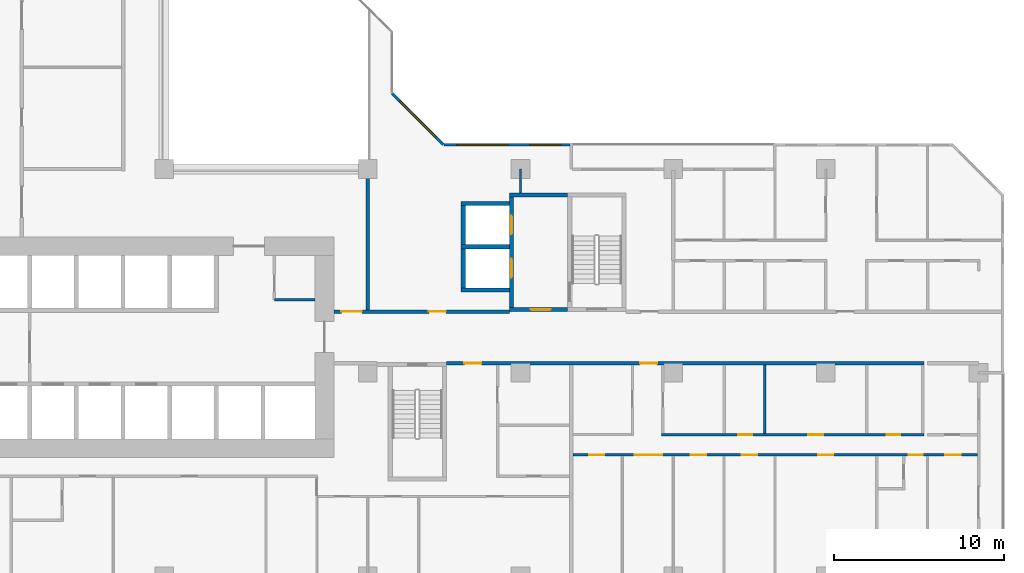
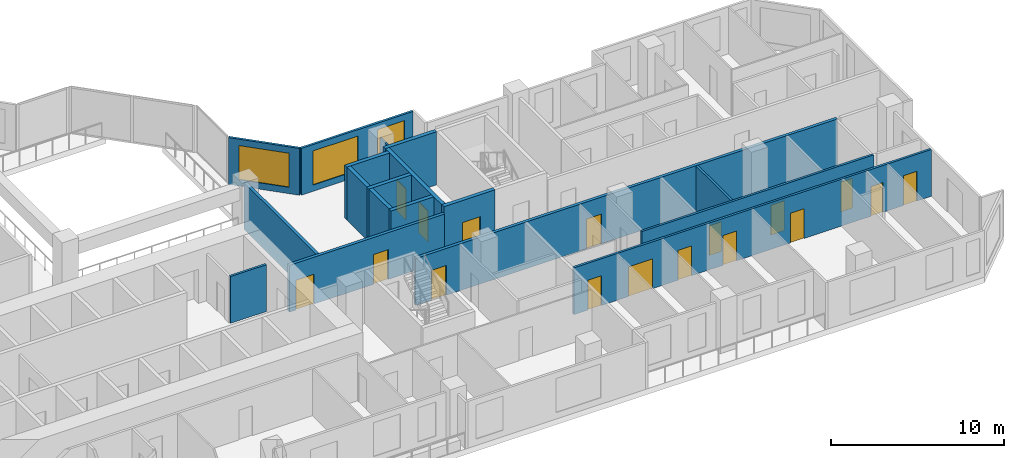
# One storey, part 7 of 16: 18 walls, 17 doors, 3 windows, 20 openings.
"""IFC4 building model written with IfcOpenShell, lengths in metres."""

import ifcopenshell
import ifcopenshell.guid

model = None  # the IFC model being written
_history = None  # IfcOwnerHistory: only IFC2X3 demands one
_inside = {}  # id of a spatial element -> (the spatial element, [elements in it])
_under = {}  # id of a project, library or spatial element -> (it, [spatial elements below it])
_declared = {}  # id of a project -> (the project, [libraries it declares])
_typed = {}  # id of a type object -> (the type object, [elements of that type])
_made_of = {}  # id of a material, layer set ... -> (it, [elements and type objects made of it])


def new_model(schema):
    """Start an empty IFC model of exactly this schema.

    Asked for "IFC4X3", IfcOpenShell would pick the latest addendum, in which some entities
    have other attributes; the version numbers below select the first issue.
    IFC2X3 requires an IfcOwnerHistory on every rooted entity: one is made here for all.
    """
    global model, _history
    if schema == "IFC4X3":
        model = ifcopenshell.file(schema_version=(4, 3, 0, 0))
    else:
        model = ifcopenshell.file(schema=schema)
    _inside.clear()
    _under.clear()
    _declared.clear()
    _typed.clear()
    _made_of.clear()
    _history = None
    if model.schema == "IFC2X3":
        org = make("IfcOrganization", Name="unknown")
        user = make(
            "IfcPersonAndOrganization",
            ThePerson=make("IfcPerson", FamilyName="unknown"),
            TheOrganization=org,
        )
        app = make(
            "IfcApplication",
            ApplicationDeveloper=org,
            Version="unknown",
            ApplicationFullName="unknown",
            ApplicationIdentifier="unknown",
        )
        _history = make(
            "IfcOwnerHistory",
            OwningUser=user,
            OwningApplication=app,
            ChangeAction="ADDED",
            CreationDate=0,
        )
    return model


def make(cls, **values):
    """One entity of the class cls with the attributes given. An attribute that is None is left unset."""
    return model.create_entity(
        cls, **{name: value for name, value in values.items() if value is not None}
    )


def rooted(cls, **values):
    """An entity with a GlobalId (a new one), such as an element, a storey or a relation."""
    return make(cls, GlobalId=ifcopenshell.guid.new(), OwnerHistory=_history, **values)


def si_unit(unit_type, name, prefix=None):
    """IfcSIUnit, for example si_unit("LENGTHUNIT", "METRE", prefix="MILLI")."""
    return make("IfcSIUnit", UnitType=unit_type, Prefix=prefix, Name=name)


def assignment(units):
    """IfcUnitAssignment: the units of a project."""
    return None if units is None else make("IfcUnitAssignment", Units=units)


def point(xyz):
    """IfcCartesianPoint."""
    return None if xyz is None else make("IfcCartesianPoint", Coordinates=xyz)


def direction(xyz):
    """IfcDirection."""
    return None if xyz is None else make("IfcDirection", DirectionRatios=xyz)


def frame(location, z_axis=None, x_axis=None):
    """IfcAxis2Placement3D, a coordinate frame: its origin and axes. An axis left out is left unset."""
    return make(
        "IfcAxis2Placement3D",
        Location=point(location),
        Axis=direction(z_axis),
        RefDirection=direction(x_axis),
    )


def frame_2d(location, x_axis=None):
    """IfcAxis2Placement2D, a coordinate frame in the plane: its origin and x axis."""
    return make(
        "IfcAxis2Placement2D", Location=point(location), RefDirection=direction(x_axis)
    )


def origin():
    """The frame at (0, 0, 0) with its axes left unset."""
    return frame((0.0, 0.0, 0.0))


def place(relative_to, where):
    """IfcLocalPlacement: puts the frame where relative to a parent placement (None: the world)."""
    return make(
        "IfcLocalPlacement", PlacementRelTo=relative_to, RelativePlacement=where
    )


def context(
    kind, dimensions, precision=None, world=None, true_north=None, identifier=None
):
    """IfcGeometricRepresentationContext, for example the 3D "Model" context."""
    return make(
        "IfcGeometricRepresentationContext",
        ContextIdentifier=identifier,
        ContextType=kind,
        CoordinateSpaceDimension=dimensions,
        Precision=precision,
        WorldCoordinateSystem=world,
        TrueNorth=true_north,
    )


def subcontext(parent, identifier, kind, view, scale=None):
    """IfcGeometricRepresentationSubContext, for example "Body" below "Model"."""
    return make(
        "IfcGeometricRepresentationSubContext",
        ContextIdentifier=identifier,
        ContextType=kind,
        ParentContext=parent,
        TargetScale=scale,
        TargetView=view,
    )


def project(units=None, contexts=None):
    """IfcProject with its units and contexts."""
    return rooted(
        "IfcProject",
        Name="project",
        RepresentationContexts=contexts,
        UnitsInContext=assignment(units),
    )


def spatial(cls, under=None, at=None, **own):
    """A site, building, storey or space (cls), placed at a placement, below another one or the project."""
    s = rooted(cls, ObjectPlacement=at, **own)
    if under is not None:
        _under.setdefault(under.id(), (under, []))[1].append(s)
    return s


def profile(cls, at=None, kind="AREA", **sizes):
    """A parametric profile (cls). Its sizes go by their IFC names, for example OverallWidth=200.0."""
    return make(cls, ProfileType=kind, Position=at, **sizes)


def rectangle(**sizes):
    """IfcRectangleProfileDef."""
    return profile("IfcRectangleProfileDef", **sizes)


def extrude(swept, where, along, depth):
    """IfcExtrudedAreaSolid: the profile swept, set in the frame where, extruded along a direction by depth."""
    return make(
        "IfcExtrudedAreaSolid",
        SweptArea=swept,
        Position=where,
        ExtrudedDirection=direction(along),
        Depth=depth,
    )


def shape(context_of_items, identifier, shape_type, items):
    """IfcShapeRepresentation: the items that make up one representation, for example the "Body"."""
    return make(
        "IfcShapeRepresentation",
        ContextOfItems=context_of_items,
        RepresentationIdentifier=identifier,
        RepresentationType=shape_type,
        Items=items,
    )


def material(Name=None, Category=None):
    """IfcMaterial."""
    return make("IfcMaterial", Name=Name, Category=Category)


def layer(
    of_material, thickness, ventilated=None, Name=None, Category=None, Priority=None
):
    """IfcMaterialLayer: one layer of a wall or slab, of a material (None: an air gap)."""
    return make(
        "IfcMaterialLayer",
        Material=of_material,
        LayerThickness=thickness,
        IsVentilated=ventilated,
        Name=Name,
        Category=Category,
        Priority=Priority,
    )


def layer_set(layers, Name=None):
    """IfcMaterialLayerSet."""
    return make("IfcMaterialLayerSet", MaterialLayers=layers, LayerSetName=Name)


def made_of(thing, what):
    """Note that an element or type object is made of a material, layer set ...; save() writes the relation."""
    if what is not None:
        _made_of.setdefault(what.id(), (what, []))[1].append(thing)
    return thing


def type_object(cls, material=None, **own):
    """A type object (cls), such as IfcWallType, which elements share."""
    return made_of(rooted(cls, **own), material)


def element(
    cls,
    number,
    at=None,
    inside=None,
    cuts=None,
    type_object=None,
    material=None,
    context=None,
    identifier="Body",
    shape_type=None,
    held_by="IfcProductDefinitionShape",
    body=None,
    shapes=None,
    **own,
):
    """One element of the class cls, such as IfcWall. Its Tag is "e" and its number.

    at: its placement. inside: the storey or other place that contains it. cuts: it is an
    opening in that element (IfcRelVoidsElement). A single representation is given by context,
    identifier, shape_type and body (its items); several are given by shapes. held_by: the class
    of the entity that holds the representations. save() writes the other relations.
    """
    e = rooted(cls, Tag="e%d" % number, ObjectPlacement=at, **own)
    if body is not None:
        shapes = [shape(context, identifier, shape_type, body)]
    if shapes is not None:
        e.Representation = make(held_by, Representations=shapes)
    if inside is not None:
        _inside.setdefault(inside.id(), (inside, []))[1].append(e)
    if cuts is not None:
        rooted(
            "IfcRelVoidsElement", RelatingBuildingElement=cuts, RelatedOpeningElement=e
        )
    if type_object is not None:
        _typed.setdefault(type_object.id(), (type_object, []))[1].append(e)
    return made_of(e, material)


def fill(opening, filler):
    """IfcRelFillsElement: the door or window that sits in an opening."""
    return rooted(
        "IfcRelFillsElement",
        RelatingOpeningElement=opening,
        RelatedBuildingElement=filler,
    )


def aggregate(whole, parts):
    """IfcRelAggregates: a whole, such as a stair, and the parts it consists of."""
    return rooted("IfcRelAggregates", RelatingObject=whole, RelatedObjects=parts)


def save(model, path):
    """Write the relations noted so far, then the file.

    IfcRelAggregates (storeys below a building ...), IfcRelContainedInSpatialStructure (elements
    in a storey), IfcRelDefinesByType, IfcRelAssociatesMaterial and IfcRelDeclares: one each for
    every whole, place, type object, material and project.
    """
    for whole, parts in _under.values():
        aggregate(whole, parts)
    for where, things in _inside.values():
        rooted(
            "IfcRelContainedInSpatialStructure",
            RelatedElements=things,
            RelatingStructure=where,
        )
    for kind, things in _typed.values():
        rooted("IfcRelDefinesByType", RelatedObjects=things, RelatingType=kind)
    for what, things in _made_of.values():
        rooted("IfcRelAssociatesMaterial", RelatedObjects=things, RelatingMaterial=what)
    for by, libraries in _declared.values():
        rooted("IfcRelDeclares", RelatingContext=by, RelatedDefinitions=libraries)
    model.write(path)


model = new_model("IFC4")

# Units and contexts
model_context = context("Model", 3, precision=1e-05, world=origin(), true_north=direction((0.0, 1.0)))
body_context = subcontext(model_context, "Body", "Model", "MODEL_VIEW")
ifc_project = project(units=[si_unit("LENGTHUNIT", "METRE"), si_unit("AREAUNIT", "SQUARE_METRE"), si_unit("VOLUMEUNIT", "CUBIC_METRE"), si_unit("PLANEANGLEUNIT", "RADIAN"), si_unit("MASSUNIT", "GRAM", prefix="KILO")], contexts=[model_context])

# Site, building, storey
site_placement = place(None, origin())
site = spatial("IfcSite", under=ifc_project, at=site_placement, CompositionType="ELEMENT")
building_placement = place(site_placement, origin())
building = spatial("IfcBuilding", under=site, at=building_placement, Name="Chenar Terraces", CompositionType="ELEMENT")
storey_placement = place(building_placement, frame((0.0, 0.0, 82.64990234375)))
storey = spatial("IfcBuildingStorey", under=building, at=storey_placement, Name="L18", CompositionType="ELEMENT", Elevation=82.64990234375)

# Wall
ifc_material_1 = material(Name="Gypsum board on steel studs", Category="steel")
ifc_layer_1 = layer(ifc_material_1, 0.14990234375)
ifc_layer_set_1 = layer_set([ifc_layer_1], Name="Gypsum board on steel studs")
wall_type_1 = type_object("IfcWallType", Name="Core partition 150 gypsum board", PredefinedType="PARTITIONING", material=ifc_layer_set_1)
wall_1_placement = place(storey_placement, frame((30.5, 16.300048828125, 0.0), z_axis=(0.0, 0.0, 1.0), x_axis=(1.0, 0.0, 0.0)))
element("IfcWall", 1, at=wall_1_placement, inside=storey, type_object=wall_type_1, Name="Core partition CP1 vestibule room south wall", PredefinedType="PARTITIONING", context=body_context, shape_type="SweptSolid", body=[
    extrude(rectangle(XDim=2.39990234375, YDim=0.14990234375, at=frame_2d((1.199951171875, 0.0))), origin(), (0.0, 0.0, 1.0), 3.300048828125),
])

# Wall, opening, door
ifc_material_2 = material(Name="Concrete C70/85", Category="concrete")
ifc_layer_2 = layer(ifc_material_2, 0.25)
ifc_layer_set_2 = layer_set([ifc_layer_2], Name="Concrete C70/85")
wall_type_2 = type_object("IfcWallType", Name="Core wall 250 Concrete C70/85", PredefinedType="SHEAR", material=ifc_layer_set_2)
wall_2_placement = place(storey_placement, frame((44.35009765625, 15.72509765625, 0.0), z_axis=(0.0, 0.0, 1.0), x_axis=(1.0, 0.0, 0.0)))
wall_2 = element("IfcWall", 2, at=wall_2_placement, inside=storey, type_object=wall_type_2, Name="Core wall F3_LS L18", PredefinedType="SHEAR", context=body_context, shape_type="SweptSolid", body=[
    extrude(rectangle(XDim=3.4248046875, YDim=0.25, at=frame_2d((1.71240234375, 0.0))), origin(), (0.0, 0.0, 1.0), 3.75),
])
opening_1_placement = place(wall_2_placement, frame((1.25, 0.0, 0.0)))
opening_1 = element("IfcOpeningElement", 3, at=opening_1_placement, cuts=wall_2, Name="Opening DL18-C10", PredefinedType="OPENING", context=body_context, shape_type="SweptSolid", body=[
    extrude(rectangle(XDim=1.199951171875, YDim=2.199951171875, at=frame_2d((0.60009765625, 1.10009765625))), frame((0.0, 0.135009765625, 0.0), z_axis=(0.0, -1.0, 0.0), x_axis=(1.0, 0.0, 0.0)), (0.0, 0.0, 1.0), 0.27001953125),
])
ifc_material_3 = material(Name="Steel-framed fire-resisting door leaf", Category="steel")
door_type_1 = type_object("IfcDoorType", Name="Lobby fire door FD60 1200 x 2200", OperationType="SINGLE_SWING_LEFT", PredefinedType="DOOR", material=ifc_material_3)
door_1_placement = place(opening_1_placement, origin())
door_1 = element("IfcDoor", 4, at=door_1_placement, inside=storey, type_object=door_type_1, Name="Core door DL18-C10", OperationType="SINGLE_SWING_RIGHT", OverallHeight=2.199951171875, OverallWidth=1.199951171875, PredefinedType="DOOR", context=body_context, shape_type="SweptSolid", body=[
    extrude(rectangle(XDim=1.199951171875, YDim=2.199951171875, at=frame_2d((0.60009765625, 1.10009765625))), frame((0.0, 0.02490234375, 0.0), z_axis=(0.0, -1.0, 0.0), x_axis=(1.0, 0.0, 0.0)), (0.0, 0.0, 1.0), 0.050048828125),
])
fill(opening_1, door_1)

# Wall
wall_3_placement = place(storey_placement, frame((44.35009765625, 22.47509765625, 0.0), z_axis=(0.0, 0.0, 1.0), x_axis=(1.0, 0.0, 0.0)))
element("IfcWall", 5, at=wall_3_placement, inside=storey, type_object=wall_type_2, Name="Core wall F3_LN L18", PredefinedType="SHEAR", context=body_context, shape_type="SweptSolid", body=[
    extrude(rectangle(XDim=3.4248046875, YDim=0.25, at=frame_2d((1.71240234375, 0.0))), origin(), (0.0, 0.0, 1.0), 3.75),
])

# Wall, openings, doors
wall_4_placement = place(storey_placement, frame((44.47509765625, 15.85009765625, 0.0), z_axis=(0.0, 0.0, 1.0), x_axis=(0.0, 1.0, 0.0)))
wall_4 = element("IfcWall", 6, at=wall_4_placement, inside=storey, type_object=wall_type_2, Name="Core wall F3_LW L18", PredefinedType="SHEAR", context=body_context, shape_type="SweptSolid", body=[
    extrude(rectangle(XDim=6.5, YDim=0.25, at=frame_2d((3.25, 0.0))), origin(), (0.0, 0.0, 1.0), 3.75),
])
opening_2_placement = place(wall_4_placement, frame((1.75, 0.0, 0.0)))
opening_2 = element("IfcOpeningElement", 7, at=opening_2_placement, cuts=wall_4, Name="Opening DL18-LD8", PredefinedType="OPENING", context=body_context, shape_type="SweptSolid", body=[
    extrude(rectangle(XDim=1.10009765625, YDim=2.199951171875, at=frame_2d((0.550048828125, 1.10009765625))), frame((0.0, 0.135009765625, 0.0), z_axis=(0.0, -1.0, 0.0), x_axis=(1.0, 0.0, 0.0)), (0.0, 0.0, 1.0), 0.27001953125),
])
opening_3_placement = place(wall_4_placement, frame((4.300048828125, 0.0, 0.0)))
opening_3 = element("IfcOpeningElement", 8, at=opening_3_placement, cuts=wall_4, Name="Opening DL18-LD9", PredefinedType="OPENING", context=body_context, shape_type="SweptSolid", body=[
    extrude(rectangle(XDim=1.10009765625, YDim=2.199951171875, at=frame_2d((0.550048828125, 1.10009765625))), frame((0.0, 0.135009765625, 0.0), z_axis=(0.0, -1.0, 0.0), x_axis=(1.0, 0.0, 0.0)), (0.0, 0.0, 1.0), 0.27001953125),
])
ifc_material_4 = material(Name="Stainless steel", Category="steel")
door_type_2 = type_object("IfcDoorType", Name="Lift landing door 1100 x 2200 sliding", OperationType="DOUBLE_DOOR_SLIDING", PredefinedType="DOOR", material=ifc_material_4)
door_2_placement = place(opening_2_placement, origin())
door_2 = element("IfcDoor", 9, at=door_2_placement, inside=storey, type_object=door_type_2, Name="Landing door F3", OperationType="DOUBLE_DOOR_SLIDING", OverallHeight=2.199951171875, OverallWidth=1.10009765625, PredefinedType="DOOR", context=body_context, shape_type="SweptSolid", body=[
    extrude(rectangle(XDim=1.10009765625, YDim=2.199951171875, at=frame_2d((0.550048828125, 1.10009765625))), frame((0.0, 0.02490234375, 0.0), z_axis=(0.0, -1.0, 0.0), x_axis=(1.0, 0.0, 0.0)), (0.0, 0.0, 1.0), 0.050048828125),
])
fill(opening_2, door_2)
door_3_placement = place(opening_3_placement, origin())
door_3 = element("IfcDoor", 10, at=door_3_placement, inside=storey, type_object=door_type_2, Name="Landing door F4", OperationType="DOUBLE_DOOR_SLIDING", OverallHeight=2.199951171875, OverallWidth=1.10009765625, PredefinedType="DOOR", context=body_context, shape_type="SweptSolid", body=[
    extrude(rectangle(XDim=1.10009765625, YDim=2.199951171875, at=frame_2d((0.550048828125, 1.10009765625))), frame((0.0, 0.02490234375, 0.0), z_axis=(0.0, -1.0, 0.0), x_axis=(1.0, 0.0, 0.0)), (0.0, 0.0, 1.0), 0.050048828125),
])
fill(opening_3, door_3)

# Walls
for number, where, z_axis, x_axis, name in (
    (11, (41.5, 16.875, 0.0), (0.0, 0.0, 1.0), (1.0, 0.0, 0.0), "Core wall F3_SS L18"),
    (12, (41.5, 19.425048828125, 0.0), (0.0, 0.0, 1.0), (1.0, 0.0, 0.0), "Core wall F3_SM L18"),
    (13, (41.5, 21.97509765625, 0.0), (0.0, 0.0, 1.0), (1.0, 0.0, 0.0), "Core wall F4_SN L18"),
):
    element("IfcWall", number, at=place(storey_placement, frame(where, z_axis=z_axis, x_axis=x_axis)), inside=storey, type_object=wall_type_2, Name=name, PredefinedType="SHEAR", context=body_context, shape_type="SweptSolid", body=[
        extrude(rectangle(XDim=2.85009765625, YDim=0.25, at=frame_2d((1.425048828125, 0.0))), origin(), (0.0, 0.0, 1.0), 3.75),
    ])
for number, where, z_axis, x_axis, name in (
    (14, (41.625, 17.0, 0.0), (0.0, 0.0, 1.0), (0.0, 1.0, 0.0), "Core wall F3_SW L18"),
    (15, (41.625, 19.550048828125, 0.0), (0.0, 0.0, 1.0), (0.0, 1.0, 0.0), "Core wall F4_SW L18"),
):
    element("IfcWall", number, at=place(storey_placement, frame(where, z_axis=z_axis, x_axis=x_axis)), inside=storey, type_object=wall_type_2, Name=name, PredefinedType="SHEAR", context=body_context, shape_type="SweptSolid", body=[
        extrude(rectangle(XDim=2.300048828125, YDim=0.25, at=frame_2d((1.14990234375, 0.0))), origin(), (0.0, 0.0, 1.0), 3.75),
    ])

# Wall, openings, doors
ifc_material_5 = material(Name="Gypsum board on steel studs with fire boards", Category="steel")
ifc_layer_3 = layer(ifc_material_5, 0.199951171875)
ifc_layer_set_3 = layer_set([ifc_layer_3], Name="Gypsum board on steel studs with fire boards")
wall_type_3 = type_object("IfcWallType", Name="Corridor wall 200", PredefinedType="PARTITIONING", material=ifc_layer_set_3)
wall_5_placement = place(storey_placement, frame((34.0, 15.60009765625, 0.0), z_axis=(0.0, 0.0, 1.0), x_axis=(1.0, 0.0, 0.0)))
wall_5 = element("IfcWall", 16, at=wall_5_placement, inside=storey, type_object=wall_type_3, Name="Partition L18-063", PredefinedType="PARTITIONING", context=body_context, shape_type="SweptSolid", body=[
    extrude(rectangle(XDim=10.35009765625, YDim=0.199951171875, at=frame_2d((5.175048828125, 0.0))), origin(), (0.0, 0.0, 1.0), 3.300048828125),
])
opening_4_placement = place(wall_5_placement, frame((5.60009765625, 0.0, 0.0)))
opening_4 = element("IfcOpeningElement", 17, at=opening_4_placement, cuts=wall_5, Name="Opening DL18-3", PredefinedType="OPENING", context=body_context, shape_type="SweptSolid", body=[
    extrude(rectangle(XDim=1.0, YDim=2.10009765625, at=frame_2d((0.5, 1.050048828125))), frame((0.0, 0.10986328125, 0.0), z_axis=(0.0, -1.0, 0.0), x_axis=(1.0, 0.0, 0.0)), (0.0, 0.0, 1.0), 0.219970703125),
])
opening_5_placement = place(wall_5_placement, frame((0.449951171875, 0.0, 0.0)))
opening_5 = element("IfcOpeningElement", 18, at=opening_5_placement, cuts=wall_5, Name="Opening DL18-52", PredefinedType="OPENING", context=body_context, shape_type="SweptSolid", body=[
    extrude(rectangle(XDim=1.199951171875, YDim=2.10009765625, at=frame_2d((0.60009765625, 1.050048828125))), frame((0.0, 0.10986328125, 0.0), z_axis=(0.0, -1.0, 0.0), x_axis=(1.0, 0.0, 0.0)), (0.0, 0.0, 1.0), 0.219970703125),
])
ifc_material_6 = material(Name="Steel-framed fire-resisting door leaf", Category="steel")
door_type_3 = type_object("IfcDoorType", Name="Fire door FD60 1000 x 2100", OperationType="SINGLE_SWING_LEFT", PredefinedType="DOOR", material=ifc_material_6)
door_4_placement = place(opening_4_placement, origin())
door_4 = element("IfcDoor", 19, at=door_4_placement, inside=storey, type_object=door_type_3, Name="Door DL18-3", OperationType="SINGLE_SWING_RIGHT", OverallHeight=2.10009765625, OverallWidth=1.0, PredefinedType="DOOR", context=body_context, shape_type="SweptSolid", body=[
    extrude(rectangle(XDim=1.0, YDim=2.10009765625, at=frame_2d((0.5, 1.050048828125))), frame((0.0, 0.02490234375, 0.0), z_axis=(0.0, -1.0, 0.0), x_axis=(1.0, 0.0, 0.0)), (0.0, 0.0, 1.0), 0.050048828125),
])
fill(opening_4, door_4)
ifc_material_7 = material(Name="Steel-framed fire-resisting door leaf", Category="steel")
door_type_4 = type_object("IfcDoorType", Name="Fire door FD60 1200 x 2100", OperationType="SINGLE_SWING_LEFT", PredefinedType="DOOR", material=ifc_material_7)
door_5_placement = place(opening_5_placement, origin())
door_5 = element("IfcDoor", 20, at=door_5_placement, inside=storey, type_object=door_type_4, Name="Door DL18-52", OperationType="SINGLE_SWING_RIGHT", OverallHeight=2.10009765625, OverallWidth=1.199951171875, PredefinedType="DOOR", context=body_context, shape_type="SweptSolid", body=[
    extrude(rectangle(XDim=1.199951171875, YDim=2.10009765625, at=frame_2d((0.60009765625, 1.050048828125))), frame((0.0, 0.02490234375, 0.0), z_axis=(0.0, -1.0, 0.0), x_axis=(1.0, 0.0, 0.0)), (0.0, 0.0, 1.0), 0.050048828125),
])
fill(opening_5, door_5)

# Wall
wall_6_placement = place(storey_placement, frame((36.0, 15.699951171875, 0.0), z_axis=(0.0, 0.0, 1.0), x_axis=(0.0, 1.0, 0.0)))
element("IfcWall", 21, at=wall_6_placement, inside=storey, type_object=wall_type_3, Name="Partition L18-065", PredefinedType="PARTITIONING", context=body_context, shape_type="SweptSolid", body=[
    extrude(rectangle(XDim=8.300048828125, YDim=0.199951171875, at=frame_2d((4.14990234375, 0.0))), origin(), (0.0, 0.0, 1.0), 3.300048828125),
])

# Wall, openings, doors
wall_7_placement = place(storey_placement, frame((40.64990234375, 12.550048828125, 0.0), z_axis=(0.0, 0.0, 1.0), x_axis=(1.0, 0.0, 0.0)))
wall_7 = element("IfcWall", 22, at=wall_7_placement, inside=storey, type_object=wall_type_3, Name="Partition L18-067", PredefinedType="PARTITIONING", context=body_context, shape_type="SweptSolid", body=[
    extrude(rectangle(XDim=28.125, YDim=0.199951171875, at=frame_2d((14.0625, 0.0))), origin(), (0.0, 0.0, 1.0), 3.300048828125),
])
opening_6_placement = place(wall_7_placement, frame((11.39990234375, 0.0, 0.0)))
opening_6 = element("IfcOpeningElement", 23, at=opening_6_placement, cuts=wall_7, Name="Opening DL18-20", PredefinedType="OPENING", context=body_context, shape_type="SweptSolid", body=[
    extrude(rectangle(XDim=1.0, YDim=2.10009765625, at=frame_2d((0.5, 1.050048828125))), frame((0.0, 0.10986328125, 0.0), z_axis=(0.0, -1.0, 0.0), x_axis=(1.0, 0.0, 0.0)), (0.0, 0.0, 1.0), 0.219970703125),
])
opening_7_placement = place(wall_7_placement, frame((1.050048828125, 0.0, 0.0)))
opening_7 = element("IfcOpeningElement", 24, at=opening_7_placement, cuts=wall_7, Name="Opening DL18-66", PredefinedType="OPENING", context=body_context, shape_type="SweptSolid", body=[
    extrude(rectangle(XDim=1.0, YDim=2.10009765625, at=frame_2d((0.5, 1.050048828125))), frame((0.0, 0.10986328125, 0.0), z_axis=(0.0, -1.0, 0.0), x_axis=(1.0, 0.0, 0.0)), (0.0, 0.0, 1.0), 0.219970703125),
])
ifc_material_8 = material(Name="Steel-framed fire-resisting door leaf", Category="steel")
door_type_5 = type_object("IfcDoorType", Name="Fire door FD30S 1000 x 2100", OperationType="SINGLE_SWING_LEFT", PredefinedType="DOOR", material=ifc_material_8)
door_6_placement = place(opening_6_placement, frame((1.0, 0.0, 0.0), z_axis=(0.0, 0.0, 1.0), x_axis=(-1.0, 0.0, 0.0)))
door_6 = element("IfcDoor", 25, at=door_6_placement, inside=storey, type_object=door_type_5, Name="Door DL18-20", OperationType="SINGLE_SWING_LEFT", OverallHeight=2.10009765625, OverallWidth=1.0, PredefinedType="DOOR", context=body_context, shape_type="SweptSolid", body=[
    extrude(rectangle(XDim=1.0, YDim=2.10009765625, at=frame_2d((0.5, 1.050048828125))), frame((0.0, 0.02490234375, 0.0), z_axis=(0.0, -1.0, 0.0), x_axis=(1.0, 0.0, 0.0)), (0.0, 0.0, 1.0), 0.050048828125),
])
fill(opening_6, door_6)
door_7_placement = place(opening_7_placement, origin())
door_7 = element("IfcDoor", 26, at=door_7_placement, inside=storey, type_object=door_type_5, Name="Door DL18-66", OperationType="SINGLE_SWING_RIGHT", OverallHeight=2.10009765625, OverallWidth=1.0, PredefinedType="DOOR", context=body_context, shape_type="SweptSolid", body=[
    extrude(rectangle(XDim=1.0, YDim=2.10009765625, at=frame_2d((0.5, 1.050048828125))), frame((0.0, 0.02490234375, 0.0), z_axis=(0.0, -1.0, 0.0), x_axis=(1.0, 0.0, 0.0)), (0.0, 0.0, 1.0), 0.050048828125),
])
fill(opening_7, door_7)

# Wall, openings, windows
ifc_material_9 = material(Name="Aluminium framed glazing", Category="aluminium")
ifc_layer_4 = layer(ifc_material_9, 0.14990234375)
ifc_layer_set_4 = layer_set([ifc_layer_4], Name="Aluminium framed glazing")
wall_type_4 = type_object("IfcWallType", Name="Glazed flush facade wall 150", PredefinedType="SOLIDWALL", material=ifc_layer_set_4)
wall_8_placement = place(storey_placement, frame((47.925048828125, 25.425048828125, 0.0), z_axis=(0.0, 0.0, 1.0), x_axis=(-1.0, 0.0, 0.0)))
wall_8 = element("IfcWall", 27, at=wall_8_placement, inside=storey, type_object=wall_type_4, Name="Glazed flush facade wall", PredefinedType="SOLIDWALL", context=body_context, shape_type="SweptSolid", body=[
    extrude(rectangle(XDim=7.425048828125, YDim=0.14990234375, at=frame_2d((3.71240234375, 0.0))), origin(), (0.0, 0.0, 1.0), 3.300048828125),
])
opening_8_placement = place(wall_8_placement, frame((0.5625, 0.0, 0.449951171875)))
opening_8 = element("IfcOpeningElement", 28, at=opening_8_placement, cuts=wall_8, Name="Opening W180x240", PredefinedType="OPENING", context=body_context, shape_type="SweptSolid", body=[
    extrude(rectangle(XDim=1.800048828125, YDim=2.39990234375, at=frame_2d((0.89990234375, 1.199951171875))), frame((0.0, 0.0849609375, 0.0), z_axis=(0.0, -1.0, 0.0), x_axis=(1.0, 0.0, 0.0)), (0.0, 0.0, 1.0), 0.169921875),
])
opening_9_placement = place(wall_8_placement, frame((3.675048828125, 0.0, 0.449951171875)))
opening_9 = element("IfcOpeningElement", 29, at=opening_9_placement, cuts=wall_8, Name="Opening W300x240", PredefinedType="OPENING", context=body_context, shape_type="SweptSolid", body=[
    extrude(rectangle(XDim=3.0, YDim=2.39990234375, at=frame_2d((1.5, 1.199951171875))), frame((0.0, 0.0849609375, 0.0), z_axis=(0.0, -1.0, 0.0), x_axis=(1.0, 0.0, 0.0)), (0.0, 0.0, 1.0), 0.169921875),
])
ifc_material_10 = material(Name="Low emissivity double glazing, aluminium frame", Category="aluminium")
window_type_1 = type_object("IfcWindowType", Name="Fixed light 1800 x 2400", PartitioningType="SINGLE_PANEL", PredefinedType="WINDOW", material=ifc_material_10)
window_1_placement = place(opening_8_placement, origin())
window_1 = element("IfcWindow", 30, at=window_1_placement, inside=storey, type_object=window_type_1, Name="Window", OverallHeight=2.39990234375, OverallWidth=1.800048828125, PartitioningType="SINGLE_PANEL", PredefinedType="WINDOW", context=body_context, shape_type="SweptSolid", body=[
    extrude(rectangle(XDim=1.800048828125, YDim=2.39990234375, at=frame_2d((0.89990234375, 1.199951171875))), frame((0.0, 0.030029296875, 0.0), z_axis=(0.0, -1.0, 0.0), x_axis=(1.0, 0.0, 0.0)), (0.0, 0.0, 1.0), 0.06005859375),
])
fill(opening_8, window_1)
ifc_material_11 = material(Name="Low emissivity double glazing, aluminium frame", Category="aluminium")
window_type_2 = type_object("IfcWindowType", Name="Fixed light 3000 x 2400", PartitioningType="SINGLE_PANEL", PredefinedType="WINDOW", material=ifc_material_11)
window_2_placement = place(opening_9_placement, origin())
window_2 = element("IfcWindow", 31, at=window_2_placement, inside=storey, type_object=window_type_2, Name="Window", OverallHeight=2.39990234375, OverallWidth=3.0, PartitioningType="SINGLE_PANEL", PredefinedType="WINDOW", context=body_context, shape_type="SweptSolid", body=[
    extrude(rectangle(XDim=3.0, YDim=2.39990234375, at=frame_2d((1.5, 1.199951171875))), frame((0.0, 0.030029296875, 0.0), z_axis=(0.0, -1.0, 0.0), x_axis=(1.0, 0.0, 0.0)), (0.0, 0.0, 1.0), 0.06005859375),
])
fill(opening_9, window_2)

# Wall
ifc_material_12 = material(Name="Gypsum board on steel studs", Category="steel")
ifc_layer_5 = layer(ifc_material_12, 0.10009765625)
ifc_layer_set_5 = layer_set([ifc_layer_5], Name="Gypsum board on steel studs")
wall_type_5 = type_object("IfcWallType", Name="Gypsum partition 100", PredefinedType="PARTITIONING", material=ifc_layer_set_5)
wall_9_placement = place(storey_placement, frame((45.0, 22.60009765625, 0.0), z_axis=(0.0, 0.0, 1.0), x_axis=(0.0, 1.0, 0.0)))
element("IfcWall", 32, at=wall_9_placement, inside=storey, type_object=wall_type_5, Name="Partition L18-071", PredefinedType="PARTITIONING", context=body_context, shape_type="SweptSolid", body=[
    extrude(rectangle(XDim=1.39990234375, YDim=0.10009765625, at=frame_2d((0.699951171875, 0.0))), origin(), (0.0, 0.0, 1.0), 3.300048828125),
])

# Wall, opening, window
ifc_material_13 = material(Name="Terracotta cladding on insulated backing", Category="masonry")
ifc_layer_6 = layer(ifc_material_13, 0.14990234375)
ifc_layer_set_6 = layer_set([ifc_layer_6], Name="Terracotta cladding on insulated backing")
wall_type_6 = type_object("IfcWallType", Name="Terracotta rainscreen wall 150", PredefinedType="SOLIDWALL", material=ifc_layer_set_6)
wall_10_placement = place(storey_placement, frame((40.447021484375, 25.447021484375, 0.0), z_axis=(0.0, 0.0, 1.0), x_axis=(-0.707106781187, 0.707106781187, 0.0)))
wall_10 = element("IfcWall", 33, at=wall_10_placement, inside=storey, type_object=wall_type_6, Name="Terracotta rainscreen wall", PredefinedType="SOLIDWALL", context=body_context, shape_type="SweptSolid", body=[
    extrude(rectangle(XDim=4.24267578125, YDim=0.14990234375, at=frame_2d((2.121337890625, 0.0))), origin(), (0.0, 0.0, 1.0), 3.300048828125),
])
opening_10_placement = place(wall_10_placement, frame((0.621337890625, 0.0, 0.449951171875)))
opening_10 = element("IfcOpeningElement", 34, at=opening_10_placement, cuts=wall_10, Name="Opening W300x240", PredefinedType="OPENING", context=body_context, shape_type="SweptSolid", body=[
    extrude(rectangle(XDim=3.0, YDim=2.39990234375, at=frame_2d((1.5, 1.199951171875))), frame((0.0, 0.0849609375, 0.0), z_axis=(0.0, -1.0, 0.0), x_axis=(1.0, 0.0, 0.0)), (0.0, 0.0, 1.0), 0.169921875),
])
window_3_placement = place(opening_10_placement, origin())
window_3 = element("IfcWindow", 35, at=window_3_placement, inside=storey, type_object=window_type_2, Name="Window", OverallHeight=2.39990234375, OverallWidth=3.0, PartitioningType="SINGLE_PANEL", PredefinedType="WINDOW", context=body_context, shape_type="SweptSolid", body=[
    extrude(rectangle(XDim=3.0, YDim=2.39990234375, at=frame_2d((1.5, 1.199951171875))), frame((0.0, 0.030029296875, 0.0), z_axis=(0.0, -1.0, 0.0), x_axis=(1.0, 0.0, 0.0)), (0.0, 0.0, 1.0), 0.06005859375),
])
fill(opening_10, window_3)

# Wall, openings, doors
ifc_material_14 = material(Name="Moisture-resistant gypsum board on steel studs", Category="steel")
ifc_layer_7 = layer(ifc_material_14, 0.14990234375)
ifc_layer_set_7 = layer_set([ifc_layer_7], Name="Moisture-resistant gypsum board on steel studs")
wall_type_7 = type_object("IfcWallType", Name="Wet-room partition 150", PredefinedType="PARTITIONING", material=ifc_layer_set_7)
wall_11_placement = place(storey_placement, frame((48.10009765625, 7.14990234375, 0.0), z_axis=(0.0, 0.0, 1.0), x_axis=(1.0, 0.0, 0.0)))
wall_11 = element("IfcWall", 36, at=wall_11_placement, inside=storey, type_object=wall_type_7, Name="Partition L18-073", PredefinedType="PARTITIONING", context=body_context, shape_type="SweptSolid", body=[
    extrude(rectangle(XDim=23.825927734375, YDim=0.14990234375, at=frame_2d((11.9130859375, 0.0))), origin(), (0.0, 0.0, 1.0), 3.300048828125),
])
opening_11_placement = place(wall_11_placement, frame((0.949951171875, 0.0, 0.0)))
opening_11 = element("IfcOpeningElement", 37, at=opening_11_placement, cuts=wall_11, Name="Opening DL18-16", PredefinedType="OPENING", context=body_context, shape_type="SweptSolid", body=[
    extrude(rectangle(XDim=0.89990234375, YDim=2.10009765625, at=frame_2d((0.449951171875, 1.050048828125))), frame((0.0, 0.0849609375, 0.0), z_axis=(0.0, -1.0, 0.0), x_axis=(1.0, 0.0, 0.0)), (0.0, 0.0, 1.0), 0.169921875),
])
opening_12_placement = place(wall_11_placement, frame((6.949951171875, 0.0, 0.0)))
opening_12 = element("IfcOpeningElement", 38, at=opening_12_placement, cuts=wall_11, Name="Opening DL18-17", PredefinedType="OPENING", context=body_context, shape_type="SweptSolid", body=[
    extrude(rectangle(XDim=0.89990234375, YDim=2.10009765625, at=frame_2d((0.449951171875, 1.050048828125))), frame((0.0, 0.0849609375, 0.0), z_axis=(0.0, -1.0, 0.0), x_axis=(1.0, 0.0, 0.0)), (0.0, 0.0, 1.0), 0.169921875),
])
opening_13_placement = place(wall_11_placement, frame((21.949951171875, 0.0, 0.0)))
opening_13 = element("IfcOpeningElement", 39, at=opening_13_placement, cuts=wall_11, Name="Opening DL18-18", PredefinedType="OPENING", context=body_context, shape_type="SweptSolid", body=[
    extrude(rectangle(XDim=0.89990234375, YDim=2.10009765625, at=frame_2d((0.449951171875, 1.050048828125))), frame((0.0, 0.0849609375, 0.0), z_axis=(0.0, -1.0, 0.0), x_axis=(1.0, 0.0, 0.0)), (0.0, 0.0, 1.0), 0.169921875),
])
opening_14_placement = place(wall_11_placement, frame((14.449951171875, 0.0, 0.0)))
opening_14 = element("IfcOpeningElement", 40, at=opening_14_placement, cuts=wall_11, Name="Opening DL18-24", PredefinedType="OPENING", context=body_context, shape_type="SweptSolid", body=[
    extrude(rectangle(XDim=0.89990234375, YDim=2.10009765625, at=frame_2d((0.449951171875, 1.050048828125))), frame((0.0, 0.0849609375, 0.0), z_axis=(0.0, -1.0, 0.0), x_axis=(1.0, 0.0, 0.0)), (0.0, 0.0, 1.0), 0.169921875),
])
opening_15_placement = place(wall_11_placement, frame((19.800048828125, 0.0, 0.0)))
opening_15 = element("IfcOpeningElement", 41, at=opening_15_placement, cuts=wall_11, Name="Opening DL18-25", PredefinedType="OPENING", context=body_context, shape_type="SweptSolid", body=[
    extrude(rectangle(XDim=0.800048828125, YDim=2.10009765625, at=frame_2d((0.39990234375, 1.050048828125))), frame((0.0, 0.0849609375, 0.0), z_axis=(0.0, -1.0, 0.0), x_axis=(1.0, 0.0, 0.0)), (0.0, 0.0, 1.0), 0.169921875),
])
opening_16_placement = place(wall_11_placement, frame((3.64990234375, 0.0, 0.0)))
opening_16 = element("IfcOpeningElement", 42, at=opening_16_placement, cuts=wall_11, Name="Opening DL18-27", PredefinedType="OPENING", context=body_context, shape_type="SweptSolid", body=[
    extrude(rectangle(XDim=1.60009765625, YDim=2.10009765625, at=frame_2d((0.800048828125, 1.050048828125))), frame((0.0, 0.0849609375, 0.0), z_axis=(0.0, -1.0, 0.0), x_axis=(1.0, 0.0, 0.0)), (0.0, 0.0, 1.0), 0.169921875),
])
opening_17_placement = place(wall_11_placement, frame((9.949951171875, 0.0, 0.0)))
opening_17 = element("IfcOpeningElement", 43, at=opening_17_placement, cuts=wall_11, Name="Opening DL18-28", PredefinedType="OPENING", context=body_context, shape_type="SweptSolid", body=[
    extrude(rectangle(XDim=0.89990234375, YDim=2.10009765625, at=frame_2d((0.449951171875, 1.050048828125))), frame((0.0, 0.0849609375, 0.0), z_axis=(0.0, -1.0, 0.0), x_axis=(1.0, 0.0, 0.0)), (0.0, 0.0, 1.0), 0.169921875),
])
ifc_material_15 = material(Name="Veneered timber door leaf", Category="wood")
door_type_6 = type_object("IfcDoorType", Name="Door 800 x 2100", OperationType="SINGLE_SWING_LEFT", PredefinedType="DOOR", material=ifc_material_15)
door_8_placement = place(opening_15_placement, frame((0.800048828125, 0.0, 0.0), z_axis=(0.0, 0.0, 1.0), x_axis=(-1.0, 0.0, 0.0)))
door_8 = element("IfcDoor", 44, at=door_8_placement, inside=storey, type_object=door_type_6, Name="Door DL18-25", OperationType="SINGLE_SWING_LEFT", OverallHeight=2.10009765625, OverallWidth=0.800048828125, PredefinedType="DOOR", context=body_context, shape_type="SweptSolid", body=[
    extrude(rectangle(XDim=0.800048828125, YDim=2.10009765625, at=frame_2d((0.39990234375, 1.050048828125))), frame((0.0, 0.02490234375, 0.0), z_axis=(0.0, -1.0, 0.0), x_axis=(1.0, 0.0, 0.0)), (0.0, 0.0, 1.0), 0.050048828125),
])
fill(opening_15, door_8)
ifc_material_16 = material(Name="Veneered timber door leaf", Category="wood")
door_type_7 = type_object("IfcDoorType", Name="Door 900 x 2100", OperationType="SINGLE_SWING_LEFT", PredefinedType="DOOR", material=ifc_material_16)
door_9_placement = place(opening_11_placement, frame((0.89990234375, 0.0, 0.0), z_axis=(0.0, 0.0, 1.0), x_axis=(-1.0, 0.0, 0.0)))
door_9 = element("IfcDoor", 45, at=door_9_placement, inside=storey, type_object=door_type_7, Name="Door DL18-16", OperationType="SINGLE_SWING_LEFT", OverallHeight=2.10009765625, OverallWidth=0.89990234375, PredefinedType="DOOR", context=body_context, shape_type="SweptSolid", body=[
    extrude(rectangle(XDim=0.89990234375, YDim=2.10009765625, at=frame_2d((0.449951171875, 1.050048828125))), frame((0.0, 0.02490234375, 0.0), z_axis=(0.0, -1.0, 0.0), x_axis=(1.0, 0.0, 0.0)), (0.0, 0.0, 1.0), 0.050048828125),
])
fill(opening_11, door_9)
door_10_placement = place(opening_12_placement, frame((0.89990234375, 0.0, 0.0), z_axis=(0.0, 0.0, 1.0), x_axis=(-1.0, 0.0, 0.0)))
door_10 = element("IfcDoor", 46, at=door_10_placement, inside=storey, type_object=door_type_7, Name="Door DL18-17", OperationType="SINGLE_SWING_LEFT", OverallHeight=2.10009765625, OverallWidth=0.89990234375, PredefinedType="DOOR", context=body_context, shape_type="SweptSolid", body=[
    extrude(rectangle(XDim=0.89990234375, YDim=2.10009765625, at=frame_2d((0.449951171875, 1.050048828125))), frame((0.0, 0.02490234375, 0.0), z_axis=(0.0, -1.0, 0.0), x_axis=(1.0, 0.0, 0.0)), (0.0, 0.0, 1.0), 0.050048828125),
])
fill(opening_12, door_10)
door_11_placement = place(opening_13_placement, frame((0.89990234375, 0.0, 0.0), z_axis=(0.0, 0.0, 1.0), x_axis=(-1.0, 0.0, 0.0)))
door_11 = element("IfcDoor", 47, at=door_11_placement, inside=storey, type_object=door_type_7, Name="Door DL18-18", OperationType="SINGLE_SWING_LEFT", OverallHeight=2.10009765625, OverallWidth=0.89990234375, PredefinedType="DOOR", context=body_context, shape_type="SweptSolid", body=[
    extrude(rectangle(XDim=0.89990234375, YDim=2.10009765625, at=frame_2d((0.449951171875, 1.050048828125))), frame((0.0, 0.02490234375, 0.0), z_axis=(0.0, -1.0, 0.0), x_axis=(1.0, 0.0, 0.0)), (0.0, 0.0, 1.0), 0.050048828125),
])
fill(opening_13, door_11)
door_12_placement = place(opening_14_placement, origin())
door_12 = element("IfcDoor", 48, at=door_12_placement, inside=storey, type_object=door_type_7, Name="Door DL18-24", OperationType="SINGLE_SWING_RIGHT", OverallHeight=2.10009765625, OverallWidth=0.89990234375, PredefinedType="DOOR", context=body_context, shape_type="SweptSolid", body=[
    extrude(rectangle(XDim=0.89990234375, YDim=2.10009765625, at=frame_2d((0.449951171875, 1.050048828125))), frame((0.0, 0.02490234375, 0.0), z_axis=(0.0, -1.0, 0.0), x_axis=(1.0, 0.0, 0.0)), (0.0, 0.0, 1.0), 0.050048828125),
])
fill(opening_14, door_12)
door_13_placement = place(opening_17_placement, frame((0.89990234375, 0.0, 0.0), z_axis=(0.0, 0.0, 1.0), x_axis=(-1.0, 0.0, 0.0)))
door_13 = element("IfcDoor", 49, at=door_13_placement, inside=storey, type_object=door_type_7, Name="Door DL18-28", OperationType="SINGLE_SWING_LEFT", OverallHeight=2.10009765625, OverallWidth=0.89990234375, PredefinedType="DOOR", context=body_context, shape_type="SweptSolid", body=[
    extrude(rectangle(XDim=0.89990234375, YDim=2.10009765625, at=frame_2d((0.449951171875, 1.050048828125))), frame((0.0, 0.02490234375, 0.0), z_axis=(0.0, -1.0, 0.0), x_axis=(1.0, 0.0, 0.0)), (0.0, 0.0, 1.0), 0.050048828125),
])
fill(opening_17, door_13)
ifc_material_17 = material(Name="Veneered timber door leaf", Category="wood")
door_type_8 = type_object("IfcDoorType", Name="Double door 1600 x 2100", OperationType="DOUBLE_DOOR_SINGLE_SWING", PredefinedType="DOOR", material=ifc_material_17)
door_14_placement = place(opening_16_placement, frame((1.60009765625, 0.0, 0.0), z_axis=(0.0, 0.0, 1.0), x_axis=(-1.0, 0.0, 0.0)))
door_14 = element("IfcDoor", 50, at=door_14_placement, inside=storey, type_object=door_type_8, Name="Door DL18-27", OperationType="DOUBLE_DOOR_SINGLE_SWING", OverallHeight=2.10009765625, OverallWidth=1.60009765625, PredefinedType="DOOR", context=body_context, shape_type="SweptSolid", body=[
    extrude(rectangle(XDim=1.60009765625, YDim=2.10009765625, at=frame_2d((0.800048828125, 1.050048828125))), frame((0.0, 0.02490234375, 0.0), z_axis=(0.0, -1.0, 0.0), x_axis=(1.0, 0.0, 0.0)), (0.0, 0.0, 1.0), 0.050048828125),
])
fill(opening_16, door_14)

wall_12_placement = place(storey_placement, frame((53.324951171875, 8.35009765625, 0.0), z_axis=(0.0, 0.0, 1.0), x_axis=(1.0, 0.0, 0.0)))
wall_12 = element("IfcWall", 51, at=wall_12_placement, inside=storey, type_object=wall_type_7, Name="Partition L18-078", PredefinedType="PARTITIONING", context=body_context, shape_type="SweptSolid", body=[
    extrude(rectangle(XDim=15.449951171875, YDim=0.14990234375, at=frame_2d((7.72509765625, 0.0))), origin(), (0.0, 0.0, 1.0), 3.300048828125),
])
opening_18_placement = place(wall_12_placement, frame((13.27490234375, 0.0, 0.0)))
opening_18 = element("IfcOpeningElement", 52, at=opening_18_placement, cuts=wall_12, Name="Opening DL18-15", PredefinedType="OPENING", context=body_context, shape_type="SweptSolid", body=[
    extrude(rectangle(XDim=0.800048828125, YDim=2.10009765625, at=frame_2d((0.39990234375, 1.050048828125))), frame((0.0, 0.0849609375, 0.0), z_axis=(0.0, -1.0, 0.0), x_axis=(1.0, 0.0, 0.0)), (0.0, 0.0, 1.0), 0.169921875),
])
opening_19_placement = place(wall_12_placement, frame((8.625, 0.0, 0.0)))
opening_19 = element("IfcOpeningElement", 53, at=opening_19_placement, cuts=wall_12, Name="Opening DL18-21", PredefinedType="OPENING", context=body_context, shape_type="SweptSolid", body=[
    extrude(rectangle(XDim=0.89990234375, YDim=2.10009765625, at=frame_2d((0.449951171875, 1.050048828125))), frame((0.0, 0.0849609375, 0.0), z_axis=(0.0, -1.0, 0.0), x_axis=(1.0, 0.0, 0.0)), (0.0, 0.0, 1.0), 0.169921875),
])
opening_20_placement = place(wall_12_placement, frame((4.52490234375, 0.0, 0.0)))
opening_20 = element("IfcOpeningElement", 54, at=opening_20_placement, cuts=wall_12, Name="Opening DL18-22", PredefinedType="OPENING", context=body_context, shape_type="SweptSolid", body=[
    extrude(rectangle(XDim=0.800048828125, YDim=2.10009765625, at=frame_2d((0.39990234375, 1.050048828125))), frame((0.0, 0.0849609375, 0.0), z_axis=(0.0, -1.0, 0.0), x_axis=(1.0, 0.0, 0.0)), (0.0, 0.0, 1.0), 0.169921875),
])
door_15_placement = place(opening_18_placement, origin())
door_15 = element("IfcDoor", 55, at=door_15_placement, inside=storey, type_object=door_type_6, Name="Door DL18-15", OperationType="SINGLE_SWING_LEFT", OverallHeight=2.10009765625, OverallWidth=0.800048828125, PredefinedType="DOOR", context=body_context, shape_type="SweptSolid", body=[
    extrude(rectangle(XDim=0.800048828125, YDim=2.10009765625, at=frame_2d((0.39990234375, 1.050048828125))), frame((0.0, 0.02490234375, 0.0), z_axis=(0.0, -1.0, 0.0), x_axis=(1.0, 0.0, 0.0)), (0.0, 0.0, 1.0), 0.050048828125),
])
fill(opening_18, door_15)
door_16_placement = place(opening_20_placement, origin())
door_16 = element("IfcDoor", 56, at=door_16_placement, inside=storey, type_object=door_type_6, Name="Door DL18-22", OperationType="SINGLE_SWING_RIGHT", OverallHeight=2.10009765625, OverallWidth=0.800048828125, PredefinedType="DOOR", context=body_context, shape_type="SweptSolid", body=[
    extrude(rectangle(XDim=0.800048828125, YDim=2.10009765625, at=frame_2d((0.39990234375, 1.050048828125))), frame((0.0, 0.02490234375, 0.0), z_axis=(0.0, -1.0, 0.0), x_axis=(1.0, 0.0, 0.0)), (0.0, 0.0, 1.0), 0.050048828125),
])
fill(opening_20, door_16)
door_17_placement = place(opening_19_placement, origin())
door_17 = element("IfcDoor", 57, at=door_17_placement, inside=storey, type_object=door_type_7, Name="Door DL18-21", OperationType="SINGLE_SWING_RIGHT", OverallHeight=2.10009765625, OverallWidth=0.89990234375, PredefinedType="DOOR", context=body_context, shape_type="SweptSolid", body=[
    extrude(rectangle(XDim=0.89990234375, YDim=2.10009765625, at=frame_2d((0.449951171875, 1.050048828125))), frame((0.0, 0.02490234375, 0.0), z_axis=(0.0, -1.0, 0.0), x_axis=(1.0, 0.0, 0.0)), (0.0, 0.0, 1.0), 0.050048828125),
])
fill(opening_19, door_17)

# Wall
wall_13_placement = place(storey_placement, frame((59.39990234375, 8.425048828125, 0.0), z_axis=(0.0, 0.0, 1.0), x_axis=(0.0, 1.0, 0.0)))
element("IfcWall", 58, at=wall_13_placement, inside=storey, type_object=wall_type_7, Name="Partition L18-089", PredefinedType="PARTITIONING", context=body_context, shape_type="SweptSolid", body=[
    extrude(rectangle(XDim=4.02490234375, YDim=0.14990234375, at=frame_2d((2.012451171875, 0.0))), origin(), (0.0, 0.0, 1.0), 3.300048828125),
])

save(model, "model.ifc")
